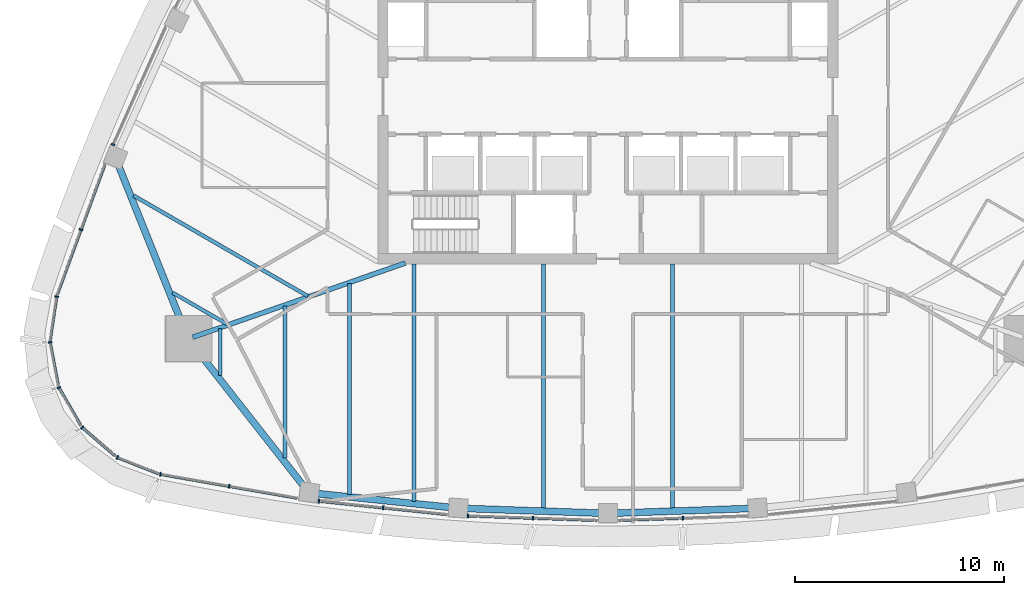
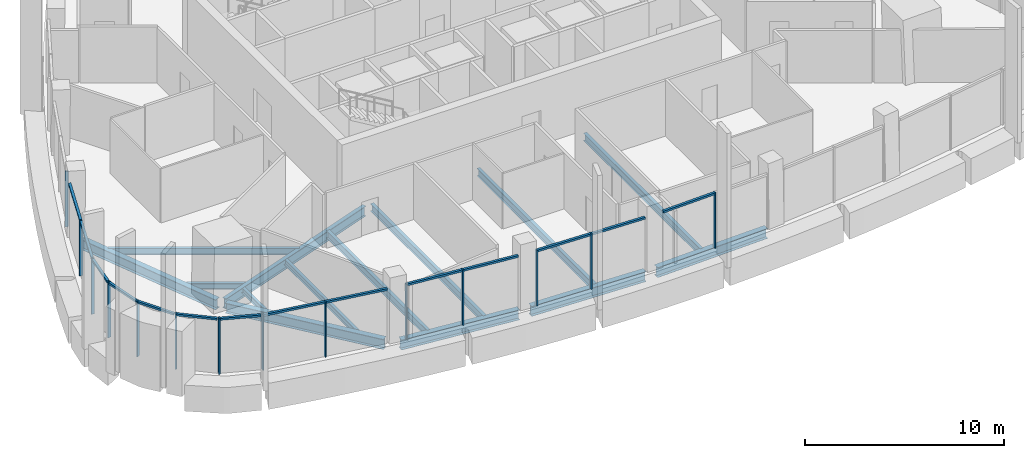
# One storey, part 2 of 19: 28 members, 14 beams, 11 elements without a shape of their own.
"""IFC4 building model written with IfcOpenShell, lengths in metres."""

from ifc_helpers import new_model, si_unit, direction, frame, origin, origin_2d, place, context, subcontext, project, spatial, rectangle, i_section, extrude, material, layer, layer_set, material_profile, profile_set, type_object, element, aggregate, save


model = new_model("IFC4")

# Units and contexts
model_context = context("Model", 3, precision=1e-05, world=origin(), true_north=direction((0.0, 1.0)))
body_context = subcontext(model_context, "Body", "Model", "MODEL_VIEW")
ifc_project = project(units=[si_unit("LENGTHUNIT", "METRE"), si_unit("AREAUNIT", "SQUARE_METRE"), si_unit("VOLUMEUNIT", "CUBIC_METRE"), si_unit("PLANEANGLEUNIT", "RADIAN"), si_unit("MASSUNIT", "GRAM", prefix="KILO")], contexts=[model_context])

# Site, building, storey
site_placement = place(None, origin())
site = spatial("IfcSite", under=ifc_project, at=site_placement, CompositionType="ELEMENT")
building_placement = place(site_placement, origin())
building = spatial("IfcBuilding", under=site, at=building_placement, Name="Sierra Prisma Convention Tower", CompositionType="ELEMENT")
storey_placement = place(building_placement, frame((0.0, 0.0, 311.0)))
storey = spatial("IfcBuildingStorey", under=building, at=storey_placement, Name="L71", CompositionType="ELEMENT", Elevation=311.0)

# Curtain wall, members
ifc_material_1 = material(Name="Aluminium and glass curtain wall", Category="aluminium")
ifc_layer = layer(ifc_material_1, 0.179931640625)
ifc_layer_set = layer_set([ifc_layer], Name="CW-1 Plain shaft curtain wall")
curtain_wall_type = type_object("IfcCurtainWallType", Name="CW-1 Plain shaft curtain wall", PredefinedType="NOTDEFINED", material=ifc_layer_set)
curtain_wall_1_placement = place(storey_placement, origin())
curtain_wall_1 = element("IfcCurtainWall", 1, at=curtain_wall_1_placement, inside=storey, type_object=curtain_wall_type, Name="CW-1 S1 L71", PredefinedType="NOTDEFINED")
ifc_material_2 = material(Name="Aluminium 6063-T6 bronze anodised", Category="aluminium")
ifc_material_profile_1 = material_profile(ifc_material_2, rectangle(XDim=0.179931640625, YDim=0.070068359375, at=origin_2d()), Name="ALU MULLION 70x180")
ifc_profile_set_1 = profile_set([ifc_material_profile_1], Name="Aluminium 6063-T6 bronze anodised")
member_type_1 = type_object("IfcMemberType", Name="CW mullion bronze", PredefinedType="MULLION", material=ifc_profile_set_1)
member_1_placement = place(storey_placement, frame((-21.3916015625, -18.057861328125, 0.0), z_axis=(0.0, 0.0, 1.0), x_axis=(0.171732948843, 0.985143539938, 0.0)))
member_1 = element("IfcMember", 2, at=member_1_placement, type_object=member_type_1, Name="CW-1 mullion S1.1", PredefinedType="MULLION", context=body_context, shape_type="SweptSolid", body=[
    extrude(rectangle(XDim=0.179931640625, YDim=0.070068359375, at=origin_2d()), origin(), (0.0, 0.0, 1.0), 3.39990234375),
])
member_2_placement = place(storey_placement, frame((-18.105224609375, -18.630859375, 0.0), z_axis=(0.0, 0.0, 1.0), x_axis=(0.171732948843, 0.985143539938, 0.0)))
member_2 = element("IfcMember", 3, at=member_2_placement, type_object=member_type_1, Name="CW-1 mullion S1.2", PredefinedType="MULLION", context=body_context, shape_type="SweptSolid", body=[
    extrude(rectangle(XDim=0.179931640625, YDim=0.070068359375, at=origin_2d()), origin(), (0.0, 0.0, 1.0), 3.39990234375),
])

curtain_wall_2_placement = place(storey_placement, origin())
curtain_wall_2 = element("IfcCurtainWall", 4, at=curtain_wall_2_placement, inside=storey, type_object=curtain_wall_type, Name="CW-1 S2 L71", PredefinedType="NOTDEFINED")
member_3_placement = place(storey_placement, frame((-13.815185546875, -19.341552734375, 0.0), z_axis=(0.0, 0.0, 1.0), x_axis=(0.103368118187, 0.994643168248, 0.0)))
member_3 = element("IfcMember", 5, at=member_3_placement, type_object=member_type_1, Name="CW-1 mullion S2.1", PredefinedType="MULLION", context=body_context, shape_type="SweptSolid", body=[
    extrude(rectangle(XDim=0.179931640625, YDim=0.070068359375, at=origin_2d()), origin(), (0.0, 0.0, 1.0), 3.39990234375),
])
member_4_placement = place(storey_placement, frame((-10.74267578125, -19.660888671875, 0.0), z_axis=(0.0, 0.0, 1.0), x_axis=(0.103368118187, 0.994643168248, 0.0)))
member_4 = element("IfcMember", 6, at=member_4_placement, type_object=member_type_1, Name="CW-1 mullion S2.2", PredefinedType="MULLION", context=body_context, shape_type="SweptSolid", body=[
    extrude(rectangle(XDim=0.179931640625, YDim=0.070068359375, at=origin_2d()), origin(), (0.0, 0.0, 1.0), 3.39990234375),
])

curtain_wall_3_placement = place(storey_placement, origin())
curtain_wall_3 = element("IfcCurtainWall", 7, at=curtain_wall_3_placement, inside=storey, type_object=curtain_wall_type, Name="CW-1 S3 L71", PredefinedType="NOTDEFINED")
member_5_placement = place(storey_placement, frame((-6.69091796875, -20.047607421875, 0.0), z_axis=(0.0, 0.0, 1.0), x_axis=(0.034510842539, 0.999404323458, 0.0)))
member_5 = element("IfcMember", 8, at=member_5_placement, type_object=member_type_1, Name="CW-1 mullion S3.1", PredefinedType="MULLION", context=body_context, shape_type="SweptSolid", body=[
    extrude(rectangle(XDim=0.179931640625, YDim=0.070068359375, at=origin_2d()), origin(), (0.0, 0.0, 1.0), 3.39990234375),
])
member_6_placement = place(storey_placement, frame((-3.587890625, -20.15478515625, 0.0), z_axis=(0.0, 0.0, 1.0), x_axis=(0.034510842539, 0.999404323458, 0.0)))
member_6 = element("IfcMember", 9, at=member_6_placement, type_object=member_type_1, Name="CW-1 mullion S3.2", PredefinedType="MULLION", context=body_context, shape_type="SweptSolid", body=[
    extrude(rectangle(XDim=0.179931640625, YDim=0.070068359375, at=origin_2d()), origin(), (0.0, 0.0, 1.0), 3.39990234375),
])

# Curtain wall, member
curtain_wall_4_placement = place(storey_placement, origin())
curtain_wall_4 = element("IfcCurtainWall", 10, at=curtain_wall_4_placement, inside=storey, type_object=curtain_wall_type, Name="CW-1 S4 L71", PredefinedType="NOTDEFINED")
member_7_placement = place(storey_placement, frame((3.587890625, -20.15478515625, 0.0), z_axis=(0.0, 0.0, 1.0), x_axis=(-0.034510842539, 0.999404323458, 0.0)))
member_7 = element("IfcMember", 11, at=member_7_placement, type_object=member_type_1, Name="CW-1 mullion S4.2", PredefinedType="MULLION", context=body_context, shape_type="SweptSolid", body=[
    extrude(rectangle(XDim=0.179931640625, YDim=0.070068359375, at=origin_2d()), origin(), (0.0, 0.0, 1.0), 3.39990234375),
])

curtain_wall_5_placement = place(storey_placement, origin())
curtain_wall_5 = element("IfcCurtainWall", 12, at=curtain_wall_5_placement, inside=storey, type_object=curtain_wall_type, Name="CW-1 NW5 L71", PredefinedType="NOTDEFINED")
member_8_placement = place(storey_placement, frame((-23.657958984375, -2.29345703125, 0.0), z_axis=(0.0, 0.0, 1.0), x_axis=(0.913070310497, -0.407802167832, 0.0)))
member_8 = element("IfcMember", 13, at=member_8_placement, type_object=member_type_1, Name="CW-1 mullion NW5.3", PredefinedType="MULLION", context=body_context, shape_type="SweptSolid", body=[
    extrude(rectangle(XDim=0.179931640625, YDim=0.070068359375, at=origin_2d()), origin(), (0.0, 0.0, 1.0), 3.39990234375),
])
aggregate(curtain_wall_5, [member_8])

curtain_wall_6_placement = place(storey_placement, origin())
curtain_wall_6 = element("IfcCurtainWall", 14, at=curtain_wall_6_placement, inside=storey, type_object=curtain_wall_type, Name="CW-1 NW6 L71", PredefinedType="NOTDEFINED")
member_9_placement = place(storey_placement, frame((-25.187255859375, -6.3642578125, 0.0), z_axis=(0.0, 0.0, 1.0), x_axis=(0.939025806382, -0.343846673604, 0.0)))
member_9 = element("IfcMember", 15, at=member_9_placement, type_object=member_type_1, Name="CW-1 mullion NW6.2", PredefinedType="MULLION", context=body_context, shape_type="SweptSolid", body=[
    extrude(rectangle(XDim=0.179931640625, YDim=0.070068359375, at=origin_2d()), origin(), (0.0, 0.0, 1.0), 3.39990234375),
])

curtain_wall_7_placement = place(storey_placement, origin())
curtain_wall_7 = element("IfcCurtainWall", 16, at=curtain_wall_7_placement, inside=storey, type_object=curtain_wall_type, Name="CW-1 SW1 L71", PredefinedType="NOTDEFINED")
member_10_placement = place(storey_placement, frame((-26.3515625, -9.564208984375, 0.0), z_axis=(0.0, 0.0, 1.0), x_axis=(0.988997921589, -0.147929412533, 0.0)))
member_10 = element("IfcMember", 17, at=member_10_placement, type_object=member_type_1, Name="CW-1 mullion SW1.1", PredefinedType="MULLION", context=body_context, shape_type="SweptSolid", body=[
    extrude(rectangle(XDim=0.179931640625, YDim=0.070068359375, at=origin_2d()), origin(), (0.0, 0.0, 1.0), 3.39990234375),
])

curtain_wall_8_placement = place(storey_placement, origin())
curtain_wall_8 = element("IfcCurtainWall", 18, at=curtain_wall_8_placement, inside=storey, type_object=curtain_wall_type, Name="CW-1 SW2 L71", PredefinedType="NOTDEFINED")
member_11_placement = place(storey_placement, frame((-26.666748046875, -11.74951171875, 0.0), z_axis=(0.0, 0.0, 1.0), x_axis=(0.982461711888, 0.186464432731, 0.0)))
member_11 = element("IfcMember", 19, at=member_11_placement, type_object=member_type_1, Name="CW-1 mullion SW2.1", PredefinedType="MULLION", context=body_context, shape_type="SweptSolid", body=[
    extrude(rectangle(XDim=0.179931640625, YDim=0.070068359375, at=origin_2d()), origin(), (0.0, 0.0, 1.0), 3.39990234375),
])

curtain_wall_9_placement = place(storey_placement, origin())
curtain_wall_9 = element("IfcCurtainWall", 20, at=curtain_wall_9_placement, inside=storey, type_object=curtain_wall_type, Name="CW-1 SW3 L71", PredefinedType="NOTDEFINED")
member_12_placement = place(storey_placement, frame((-26.24365234375, -13.91650390625, 0.0), z_axis=(0.0, 0.0, 1.0), x_axis=(0.866025403784, 0.5, 0.0)))
member_12 = element("IfcMember", 21, at=member_12_placement, type_object=member_type_1, Name="CW-1 mullion SW3.1", PredefinedType="MULLION", context=body_context, shape_type="SweptSolid", body=[
    extrude(rectangle(XDim=0.179931640625, YDim=0.070068359375, at=origin_2d()), origin(), (0.0, 0.0, 1.0), 3.39990234375),
])

curtain_wall_10_placement = place(storey_placement, origin())
curtain_wall_10 = element("IfcCurtainWall", 22, at=curtain_wall_10_placement, inside=storey, type_object=curtain_wall_type, Name="CW-1 SW4 L71", PredefinedType="NOTDEFINED")
member_13_placement = place(storey_placement, frame((-25.1298828125, -15.82275390625, 0.0), z_axis=(0.0, 0.0, 1.0), x_axis=(0.652713791591, 0.757604584375, 0.0)))
member_13 = element("IfcMember", 23, at=member_13_placement, type_object=member_type_1, Name="CW-1 mullion SW4.1", PredefinedType="MULLION", context=body_context, shape_type="SweptSolid", body=[
    extrude(rectangle(XDim=0.179931640625, YDim=0.070068359375, at=origin_2d()), origin(), (0.0, 0.0, 1.0), 3.39990234375),
])

curtain_wall_11_placement = place(storey_placement, origin())
curtain_wall_11 = element("IfcCurtainWall", 24, at=curtain_wall_11_placement, inside=storey, type_object=curtain_wall_type, Name="CW-1 SW5 L71", PredefinedType="NOTDEFINED")
member_14_placement = place(storey_placement, frame((-23.44970703125, -17.255126953125, 0.0), z_axis=(0.0, 0.0, 1.0), x_axis=(0.366388331574, 0.930462030653, 0.0)))
member_14 = element("IfcMember", 25, at=member_14_placement, type_object=member_type_1, Name="CW-1 mullion SW5.1", PredefinedType="MULLION", context=body_context, shape_type="SweptSolid", body=[
    extrude(rectangle(XDim=0.179931640625, YDim=0.070068359375, at=origin_2d()), origin(), (0.0, 0.0, 1.0), 3.39990234375),
])

# Member
ifc_material_3 = material(Name="Aluminium 6063-T6 bronze anodised", Category="aluminium")
ifc_material_profile_2 = material_profile(ifc_material_3, rectangle(XDim=0.139892578125, YDim=0.1201171875, at=origin_2d()), Name="ALU TRANSOM 120x140")
ifc_profile_set_2 = profile_set([ifc_material_profile_2], Name="Aluminium 6063-T6 bronze anodised")
member_type_2 = type_object("IfcMemberType", Name="CW transom bronze", PredefinedType="USERDEFINED", material=ifc_profile_set_2)
member_15_placement = place(storey_placement, frame((-21.357177734375, -18.06396484375, 3.340087890625), z_axis=(0.985148595108, -0.171703947413, 0.0), x_axis=(0.171703947413, 0.985148595108, 0.0)))
member_15 = element("IfcMember", 26, at=member_15_placement, type_object=member_type_2, Name="CW-1 transom S1.1", ObjectType="TRANSOM", PredefinedType="USERDEFINED", context=body_context, shape_type="SweptSolid", body=[
    extrude(rectangle(XDim=0.139892578125, YDim=0.1201171875, at=origin_2d()), origin(), (0.0, 0.0, 1.0), 3.26611328125),
])

member_16_placement = place(storey_placement, frame((-18.07080078125, -18.63671875, 3.340087890625), z_axis=(0.985135948109, -0.17177649357, 0.0), x_axis=(0.17177649357, 0.985135948109, 0.0)))
member_16 = element("IfcMember", 27, at=member_16_placement, type_object=member_type_2, Name="CW-1 transom S1.2", ObjectType="TRANSOM", PredefinedType="USERDEFINED", context=body_context, shape_type="SweptSolid", body=[
    extrude(rectangle(XDim=0.139892578125, YDim=0.1201171875, at=origin_2d()), origin(), (0.0, 0.0, 1.0), 3.26611328125),
])

aggregate(curtain_wall_1, [member_1, member_2, member_15, member_16])

member_17_placement = place(storey_placement, frame((-13.7802734375, -19.34521484375, 3.340087890625), z_axis=(0.994645457382, -0.103346088987, 0.0), x_axis=(0.103346088987, 0.994645457382, 0.0)))
member_17 = element("IfcMember", 28, at=member_17_placement, type_object=member_type_2, Name="CW-1 transom S2.1", ObjectType="TRANSOM", PredefinedType="USERDEFINED", context=body_context, shape_type="SweptSolid", body=[
    extrude(rectangle(XDim=0.139892578125, YDim=0.1201171875, at=origin_2d()), origin(), (0.0, 0.0, 1.0), 3.01904296875),
])

member_18_placement = place(storey_placement, frame((-10.707763671875, -19.66455078125, 3.340087890625), z_axis=(0.994645457382, -0.103346088987, 0.0), x_axis=(0.103346088987, 0.994645457382, 0.0)))
member_18 = element("IfcMember", 29, at=member_18_placement, type_object=member_type_2, Name="CW-1 transom S2.2", ObjectType="TRANSOM", PredefinedType="USERDEFINED", context=body_context, shape_type="SweptSolid", body=[
    extrude(rectangle(XDim=0.139892578125, YDim=0.1201171875, at=origin_2d()), origin(), (0.0, 0.0, 1.0), 3.01904296875),
])

aggregate(curtain_wall_2, [member_3, member_4, member_17, member_18])

member_19_placement = place(storey_placement, frame((-6.656005859375, -20.048828125, 3.340087890625), z_axis=(0.999404374129, -0.034509375121, 0.0), x_axis=(0.034509375121, 0.999404374129, 0.0)))
member_19 = element("IfcMember", 30, at=member_19_placement, type_object=member_type_2, Name="CW-1 transom S3.1", ObjectType="TRANSOM", PredefinedType="USERDEFINED", context=body_context, shape_type="SweptSolid", body=[
    extrude(rectangle(XDim=0.139892578125, YDim=0.1201171875, at=origin_2d()), origin(), (0.0, 0.0, 1.0), 3.034912109375),
])

member_20_placement = place(storey_placement, frame((-3.552734375, -20.156005859375, 3.340087890625), z_axis=(0.99940427832, -0.034512149674, 0.0), x_axis=(0.034512149674, 0.99940427832, 0.0)))
member_20 = element("IfcMember", 31, at=member_20_placement, type_object=member_type_2, Name="CW-1 transom S3.2", ObjectType="TRANSOM", PredefinedType="USERDEFINED", context=body_context, shape_type="SweptSolid", body=[
    extrude(rectangle(XDim=0.139892578125, YDim=0.1201171875, at=origin_2d()), origin(), (0.0, 0.0, 1.0), 3.03466796875),
])

aggregate(curtain_wall_3, [member_5, member_6, member_19, member_20])

member_21_placement = place(storey_placement, frame((0.519775390625, -20.2607421875, 3.340087890625), z_axis=(0.99940427832, 0.034512149674, 0.0), x_axis=(-0.034512149674, 0.99940427832, 0.0)))
member_21 = element("IfcMember", 32, at=member_21_placement, type_object=member_type_2, Name="CW-1 transom S4.1", ObjectType="TRANSOM", PredefinedType="USERDEFINED", context=body_context, shape_type="SweptSolid", body=[
    extrude(rectangle(XDim=0.139892578125, YDim=0.1201171875, at=origin_2d()), origin(), (0.0, 0.0, 1.0), 3.03466796875),
])

aggregate(curtain_wall_4, [member_7, member_21])

member_22_placement = place(storey_placement, frame((-24.05224609375, -3.264404296875, 3.340087890625), z_axis=(-0.343854871841, -0.939022804362, 0.0), x_axis=(0.939022804362, -0.343854871841, 0.0)))
member_22 = element("IfcMember", 33, at=member_22_placement, type_object=member_type_2, Name="CW-1 transom NW6.1", ObjectType="TRANSOM", PredefinedType="USERDEFINED", context=body_context, shape_type="SweptSolid", body=[
    extrude(rectangle(XDim=0.139892578125, YDim=0.1201171875, at=origin_2d()), origin(), (0.0, 0.0, 1.0), 3.26611328125),
])

member_23_placement = place(storey_placement, frame((-25.199462890625, -6.39697265625, 3.340087890625), z_axis=(-0.34378895652, -0.939046938856, 0.0), x_axis=(0.939046938856, -0.34378895652, 0.0)))
member_23 = element("IfcMember", 34, at=member_23_placement, type_object=member_type_2, Name="CW-1 transom NW6.2", ObjectType="TRANSOM", PredefinedType="USERDEFINED", context=body_context, shape_type="SweptSolid", body=[
    extrude(rectangle(XDim=0.139892578125, YDim=0.1201171875, at=origin_2d()), origin(), (0.0, 0.0, 1.0), 3.265869140625),
])

aggregate(curtain_wall_6, [member_9, member_22, member_23])

member_24_placement = place(storey_placement, frame((-26.356689453125, -9.598876953125, 3.340087890625), z_axis=(-0.147925119151, -0.988998563763, 0.0), x_axis=(0.988998563763, -0.147925119151, 0.0)))
member_24 = element("IfcMember", 35, at=member_24_placement, type_object=member_type_2, Name="CW-1 transom SW1.1", ObjectType="TRANSOM", PredefinedType="USERDEFINED", context=body_context, shape_type="SweptSolid", body=[
    extrude(rectangle(XDim=0.139892578125, YDim=0.1201171875, at=origin_2d()), origin(), (0.0, 0.0, 1.0), 2.069580078125),
])

aggregate(curtain_wall_7, [member_10, member_24])

member_25_placement = place(storey_placement, frame((-26.66015625, -11.783935546875, 3.340087890625), z_axis=(0.186374877338, -0.982478704653, 0.0), x_axis=(0.982478704653, 0.186374877338, 0.0)))
member_25 = element("IfcMember", 36, at=member_25_placement, type_object=member_type_2, Name="CW-1 transom SW2.1", ObjectType="TRANSOM", PredefinedType="USERDEFINED", context=body_context, shape_type="SweptSolid", body=[
    extrude(rectangle(XDim=0.139892578125, YDim=0.1201171875, at=origin_2d()), origin(), (0.0, 0.0, 1.0), 2.06982421875),
])

aggregate(curtain_wall_8, [member_11, member_25])

member_26_placement = place(storey_placement, frame((-26.226318359375, -13.94677734375, 3.340087890625), z_axis=(0.500008344384, -0.866020586098, 0.0), x_axis=(0.866020586098, 0.500008344384, 0.0)))
member_26 = element("IfcMember", 37, at=member_26_placement, type_object=member_type_2, Name="CW-1 transom SW3.1", ObjectType="TRANSOM", PredefinedType="USERDEFINED", context=body_context, shape_type="SweptSolid", body=[
    extrude(rectangle(XDim=0.139892578125, YDim=0.1201171875, at=origin_2d()), origin(), (0.0, 0.0, 1.0), 2.06982421875),
])

aggregate(curtain_wall_9, [member_12, member_26])

member_27_placement = place(storey_placement, frame((-25.103271484375, -15.845458984375, 3.340087890625), z_axis=(0.757588949095, -0.652731939014, 0.0), x_axis=(0.652731939014, 0.757588949095, 0.0)))
member_27 = element("IfcMember", 38, at=member_27_placement, type_object=member_type_2, Name="CW-1 transom SW4.1", ObjectType="TRANSOM", PredefinedType="USERDEFINED", context=body_context, shape_type="SweptSolid", body=[
    extrude(rectangle(XDim=0.139892578125, YDim=0.1201171875, at=origin_2d()), origin(), (0.0, 0.0, 1.0), 2.06982421875),
])

aggregate(curtain_wall_10, [member_13, member_27])

member_28_placement = place(storey_placement, frame((-23.4169921875, -17.267822265625, 3.340087890625), z_axis=(0.930464454882, -0.366382175059, 0.0), x_axis=(0.366382175059, 0.930464454882, 0.0)))
member_28 = element("IfcMember", 39, at=member_28_placement, type_object=member_type_2, Name="CW-1 transom SW5.1", ObjectType="TRANSOM", PredefinedType="USERDEFINED", context=body_context, shape_type="SweptSolid", body=[
    extrude(rectangle(XDim=0.139892578125, YDim=0.1201171875, at=origin_2d()), origin(), (0.0, 0.0, 1.0), 2.069580078125),
])

aggregate(curtain_wall_11, [member_14, member_28])

# Beams
ifc_material_4 = material(Name="Steel ASTM A992 Gr 50", Category="steel")
ifc_material_profile_3 = material_profile(ifc_material_4, i_section(OverallWidth=0.172119140625, OverallDepth=0.35791015625, WebThickness=0.0078125, FlangeThickness=0.01318359375, at=origin_2d()), Name="W360x57")
ifc_profile_set_3 = profile_set([ifc_material_profile_3], Name="Steel ASTM A992 Gr 50")
beam_type_1 = type_object("IfcBeamType", Name="Floor joist W360x57", PredefinedType="JOIST", material=ifc_profile_set_3)
beam_1_placement = place(storey_placement, frame((-18.523681640625, -13.338623046875, -0.3291015625), z_axis=(0.0, 1.0, 0.0), x_axis=(-1.0, 0.0, 0.0)))
element("IfcBeam", 40, at=beam_1_placement, inside=storey, type_object=beam_type_1, Name="Floor joist L71 S01", PredefinedType="JOIST", context=body_context, shape_type="SweptSolid", body=[
    extrude(i_section(OverallWidth=0.172119140625, OverallDepth=0.35791015625, WebThickness=0.0078125, FlangeThickness=0.01318359375, at=origin_2d()), origin(), (0.0, 0.0, 1.0), 2.2431640625),
])
beam_2_placement = place(storey_placement, frame((-15.4365234375, -17.2705078125, -0.3291015625), z_axis=(0.0, 1.0, 0.0), x_axis=(-1.0, 0.0, 0.0)))
element("IfcBeam", 41, at=beam_2_placement, inside=storey, type_object=beam_type_1, Name="Floor joist L71 S02", PredefinedType="JOIST", context=body_context, shape_type="SweptSolid", body=[
    extrude(i_section(OverallWidth=0.172119140625, OverallDepth=0.35791015625, WebThickness=0.0078125, FlangeThickness=0.01318359375, at=origin_2d()), origin(), (0.0, 0.0, 1.0), 7.253173828125),
])
beam_3_placement = place(storey_placement, frame((-20.8134765625, -9.37255859375, -0.3291015625), z_axis=(0.865997239347, -0.500048779063, 0.0), x_axis=(0.500048779063, 0.865997239347, 0.0)))
element("IfcBeam", 42, at=beam_3_placement, inside=storey, type_object=beam_type_1, Name="Floor joist L71 NW13", PredefinedType="JOIST", context=body_context, shape_type="SweptSolid", body=[
    extrude(i_section(OverallWidth=0.172119140625, OverallDepth=0.35791015625, WebThickness=0.0078125, FlangeThickness=0.01318359375, at=origin_2d()), origin(), (0.0, 0.0, 1.0), 3.022216796875),
])
ifc_material_5 = material(Name="Steel ASTM A992 Gr 50", Category="steel")
ifc_material_profile_4 = material_profile(ifc_material_5, i_section(OverallWidth=0.177978515625, OverallDepth=0.406982421875, WebThickness=0.0078125, FlangeThickness=0.0126953125, at=origin_2d()), Name="W410x60")
ifc_profile_set_4 = profile_set([ifc_material_profile_4], Name="Steel ASTM A992 Gr 50")
beam_type_2 = type_object("IfcBeamType", Name="Floor joist W410x60", PredefinedType="JOIST", material=ifc_profile_set_4)
beam_4_placement = place(storey_placement, frame((-22.675048828125, -4.733154296875, -0.353515625), z_axis=(0.866029540839, -0.499992834343, 0.0), x_axis=(0.499992834343, 0.866029540839, 0.0)))
element("IfcBeam", 43, at=beam_4_placement, inside=storey, type_object=beam_type_2, Name="Floor joist L71 NW12", PredefinedType="JOIST", context=body_context, shape_type="SweptSolid", body=[
    extrude(i_section(OverallWidth=0.177978515625, OverallDepth=0.406982421875, WebThickness=0.0078125, FlangeThickness=0.0126953125, at=origin_2d()), origin(), (0.0, 0.0, 1.0), 9.614013671875),
])
ifc_material_6 = material(Name="Steel ASTM A992 Gr 50", Category="steel")
ifc_material_profile_5 = material_profile(ifc_material_6, i_section(OverallWidth=0.18994140625, OverallDepth=0.45703125, WebThickness=0.009033203125, FlangeThickness=0.014404296875, at=origin_2d()), Name="W460x74")
ifc_profile_set_5 = profile_set([ifc_material_profile_5], Name="Steel ASTM A992 Gr 50")
beam_type_3 = type_object("IfcBeamType", Name="Floor joist W460x74", PredefinedType="JOIST", material=ifc_profile_set_5)
beam_5_placement = place(storey_placement, frame((-12.34912109375, -19.02880859375, -0.37841796875), z_axis=(0.0, 1.0, 0.0), x_axis=(-1.0, 0.0, 0.0)))
element("IfcBeam", 44, at=beam_5_placement, inside=storey, type_object=beam_type_3, Name="Floor joist L71 S03", PredefinedType="JOIST", context=body_context, shape_type="SweptSolid", body=[
    extrude(i_section(OverallWidth=0.18994140625, OverallDepth=0.45703125, WebThickness=0.009033203125, FlangeThickness=0.014404296875, at=origin_2d()), origin(), (0.0, 0.0, 1.0), 10.08984375),
])
beam_6_placement = place(storey_placement, frame((-9.261962890625, -19.349853515625, -0.37841796875), z_axis=(0.0, 1.0, 0.0), x_axis=(-1.0, 0.0, 0.0)))
element("IfcBeam", 45, at=beam_6_placement, inside=storey, type_object=beam_type_3, Name="Floor joist L71 S04", PredefinedType="JOIST", context=body_context, shape_type="SweptSolid", body=[
    extrude(i_section(OverallWidth=0.18994140625, OverallDepth=0.45703125, WebThickness=0.009033203125, FlangeThickness=0.014404296875, at=origin_2d()), origin(), (0.0, 0.0, 1.0), 11.349853515625),
])
for number, where, z_axis, x_axis, name in (
    (46, (-3.08740234375, -19.70947265625, -0.37841796875), (0.0, 1.0, 0.0), (-1.0, 0.0, 0.0), "Floor joist L71 S06"),
    (47, (3.08740234375, -19.70947265625, -0.37841796875), (0.0, 1.0, 0.0), (-1.0, 0.0, 0.0), "Floor joist L71 S08"),
):
    element("IfcBeam", number, at=place(storey_placement, frame(where, z_axis=z_axis, x_axis=x_axis)), inside=storey, type_object=beam_type_3, Name=name, PredefinedType="JOIST", context=body_context, shape_type="SweptSolid", body=[
        extrude(i_section(OverallWidth=0.18994140625, OverallDepth=0.45703125, WebThickness=0.009033203125, FlangeThickness=0.014404296875, at=origin_2d()), origin(), (0.0, 0.0, 1.0), 11.70947265625),
    ])
ifc_material_7 = material(Name="Steel ASTM A992 Gr 50", Category="steel")
ifc_material_profile_6 = material_profile(ifc_material_7, i_section(OverallWidth=0.22998046875, OverallDepth=0.616943359375, WebThickness=0.01318359375, FlangeThickness=0.022216796875, at=origin_2d()), Name="W610x140")
ifc_profile_set_6 = profile_set([ifc_material_profile_6], Name="Steel ASTM A992 Gr 50")
beam_type_4 = type_object("IfcBeamType", Name="Radial girder W610x140", PredefinedType="BEAM", material=ifc_profile_set_6)
beam_7_placement = place(storey_placement, frame((-19.847412109375, -11.509033203125, -0.45849609375), z_axis=(0.944079532075, 0.329717814376, 0.0), x_axis=(-0.329717814376, 0.944079532075, 0.0)))
element("IfcBeam", 48, at=beam_7_placement, inside=storey, type_object=beam_type_4, Name="Radial girder L71 SW", PredefinedType="BEAM", context=body_context, shape_type="SweptSolid", body=[
    extrude(i_section(OverallWidth=0.22998046875, OverallDepth=0.616943359375, WebThickness=0.01318359375, FlangeThickness=0.022216796875, at=origin_2d()), origin(), (0.0, 0.0, 1.0), 10.762451171875),
])
ifc_material_8 = material(Name="Steel ASTM A992 Gr 50", Category="steel")
ifc_material_profile_7 = material_profile(ifc_material_8, i_section(OverallWidth=0.324951171875, OverallDepth=0.615966796875, WebThickness=0.013916015625, FlangeThickness=0.021484375, at=origin_2d()), Name="W610x174")
ifc_profile_set_7 = profile_set([ifc_material_profile_7], Name="Steel ASTM A992 Gr 50")
beam_type_5 = type_object("IfcBeamType", Name="Spandrel beam W610x174", PredefinedType="BEAM", material=ifc_profile_set_7)
beam_8_placement = place(storey_placement, frame((-19.894775390625, -11.805908203125, -0.4580078125), z_axis=(0.61757858219, -0.786509182921, 0.0), x_axis=(0.786509182921, 0.61757858219, 0.0)))
element("IfcBeam", 49, at=beam_8_placement, inside=storey, type_object=beam_type_5, Name="Spandrel L71-01", PredefinedType="BEAM", context=body_context, shape_type="SweptSolid", body=[
    extrude(i_section(OverallWidth=0.324951171875, OverallDepth=0.615966796875, WebThickness=0.013916015625, FlangeThickness=0.021484375, at=origin_2d()), origin(), (0.0, 0.0, 1.0), 8.565673828125),
])
for number, where, z_axis, x_axis, name in (
    (50, (-13.96435546875, -18.974365234375, -0.4580078125), (0.994643750939, -0.103362511178, 0.0), (0.103362511178, 0.994643750939, 0.0), "Spandrel L71-02"),
    (51, (-6.83349609375, -19.692626953125, -0.4580078125), (0.999404126436, -0.034516547651, 0.0), (0.034516547651, 0.999404126436, 0.0), "Spandrel L71-03"),
    (52, (0.330078125, -19.917236328125, -0.4580078125), (0.999404126436, 0.034516547651, 0.0), (-0.034516547651, 0.999404126436, 0.0), "Spandrel L71-04"),
):
    element("IfcBeam", number, at=place(storey_placement, frame(where, z_axis=z_axis, x_axis=x_axis)), inside=storey, type_object=beam_type_5, Name=name, PredefinedType="BEAM", context=body_context, shape_type="SweptSolid", body=[
        extrude(i_section(OverallWidth=0.324951171875, OverallDepth=0.615966796875, WebThickness=0.013916015625, FlangeThickness=0.021484375, at=origin_2d()), origin(), (0.0, 0.0, 1.0), 6.50732421875),
    ])
beam_9_placement = place(storey_placement, frame((-23.361083984375, -3.37646484375, -0.4580078125), z_axis=(0.372343977455, -0.928094802514, 0.0), x_axis=(0.928094802514, 0.372343977455, 0.0)))
element("IfcBeam", 53, at=beam_9_placement, inside=storey, type_object=beam_type_5, Name="Spandrel L71-18", PredefinedType="BEAM", context=body_context, shape_type="SweptSolid", body=[
    extrude(i_section(OverallWidth=0.324951171875, OverallDepth=0.615966796875, WebThickness=0.013916015625, FlangeThickness=0.021484375, at=origin_2d()), origin(), (0.0, 0.0, 1.0), 8.6083984375),
])

save(model, "model.ifc")
